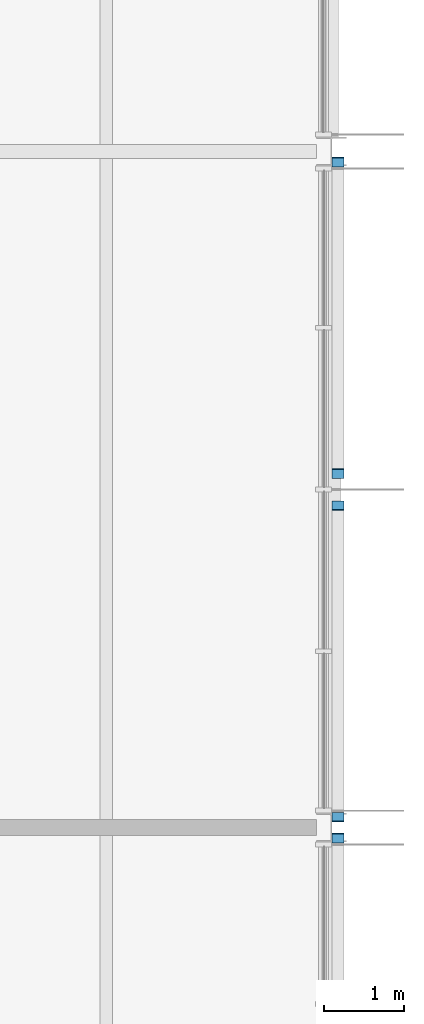
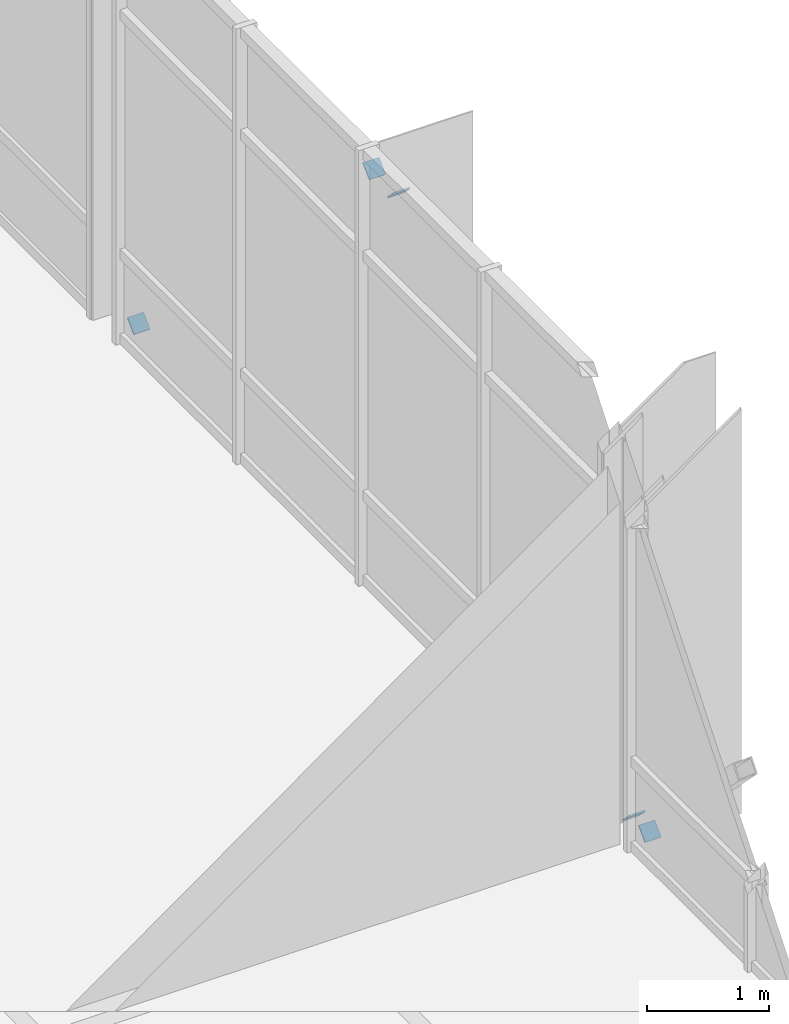
# One storey, part 13 of 15: 5 discrete accessories.
"""IFC4 building model written with IfcOpenShell, lengths in metres."""

from ifc_helpers import new_model, si_unit, direction, frame, origin, origin_2d, place, context, subcontext, project, spatial, rectangle, extrude, material, element, save


model = new_model("IFC4")

# Units and contexts
model_context = context("Model", 3, precision=1e-05, world=origin(), true_north=direction((0.0, 1.0)))
body_context = subcontext(model_context, "Body", "Model", "MODEL_VIEW")
ifc_project = project(units=[si_unit("LENGTHUNIT", "METRE"), si_unit("AREAUNIT", "SQUARE_METRE"), si_unit("VOLUMEUNIT", "CUBIC_METRE"), si_unit("PLANEANGLEUNIT", "RADIAN"), si_unit("MASSUNIT", "GRAM", prefix="KILO")], contexts=[model_context])

# Site, building, storey
site_placement = place(None, origin())
site = spatial("IfcSite", under=ifc_project, at=site_placement, CompositionType="ELEMENT")
building_placement = place(site_placement, origin())
building = spatial("IfcBuilding", under=site, at=building_placement, Name="Hlaing Beacon Police Headquarters", CompositionType="ELEMENT")
storey_placement = place(building_placement, frame((0.0, 0.0, 32.39990234375)))
storey = spatial("IfcBuildingStorey", under=building, at=storey_placement, Name="L07", CompositionType="ELEMENT", Elevation=32.39990234375)

# Discrete accessories
ifc_material = material(Name="Steel ASTM A572 Grade 50", Category="steel")
for number, where, z_axis, x_axis, name in (
    (1, (126.080078125, 50.264404296875, 0.059814453125), (0.0, 0.704391022459, -0.70981214943), (-1.0, 0.0, 0.0), "Gusset plate GP-131"),
    (2, (126.080078125, 50.53564453125, 0.059814453125), (0.0, -0.704368633341, -0.709834366853), (1.0, 0.0, 0.0), "Gusset plate GP-133"),
    (3, (126.080078125, 54.394287109375, 3.948486328125), (0.0, 0.704368633341, 0.709834366853), (-1.0, 0.0, 0.0), "Gusset plate GP-134"),
    (4, (126.080078125, 58.664306640625, 0.059814453125), (0.0, 0.704368633341, -0.709834366853), (-1.0, 0.0, 0.0), "Gusset plate GP-135"),
    (5, (126.080078125, 54.8056640625, 3.948486328125), (0.0, -0.704368633341, 0.709834366853), (1.0, 0.0, 0.0), "Gusset plate GP-136"),
):
    element("IfcDiscreteAccessory", number, at=place(storey_placement, frame(where, z_axis=z_axis, x_axis=x_axis)), inside=storey, material=ifc_material, Name=name, PredefinedType="BRACKET", context=body_context, shape_type="SweptSolid", body=[
        extrude(rectangle(XDim=0.15234375, YDim=0.15234375, at=origin_2d()), origin(), (0.0, 0.0, 1.0), 0.01611328125),
    ])

save(model, "model.ifc")
